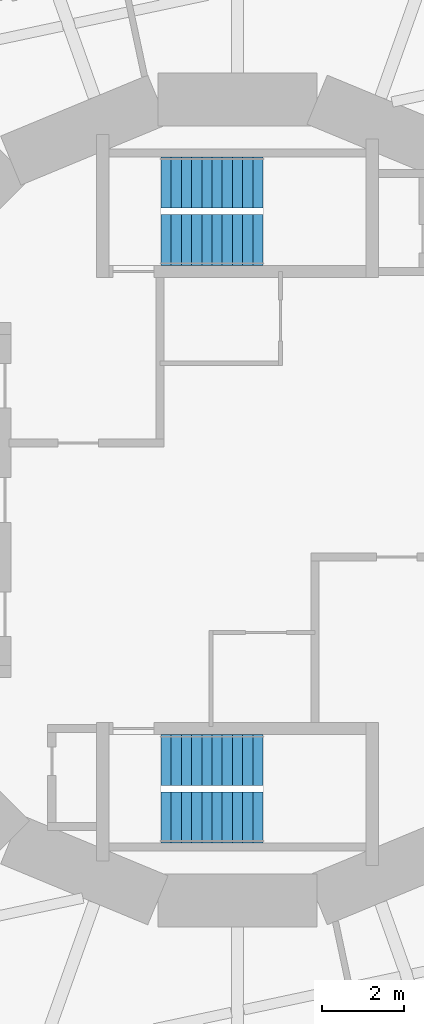
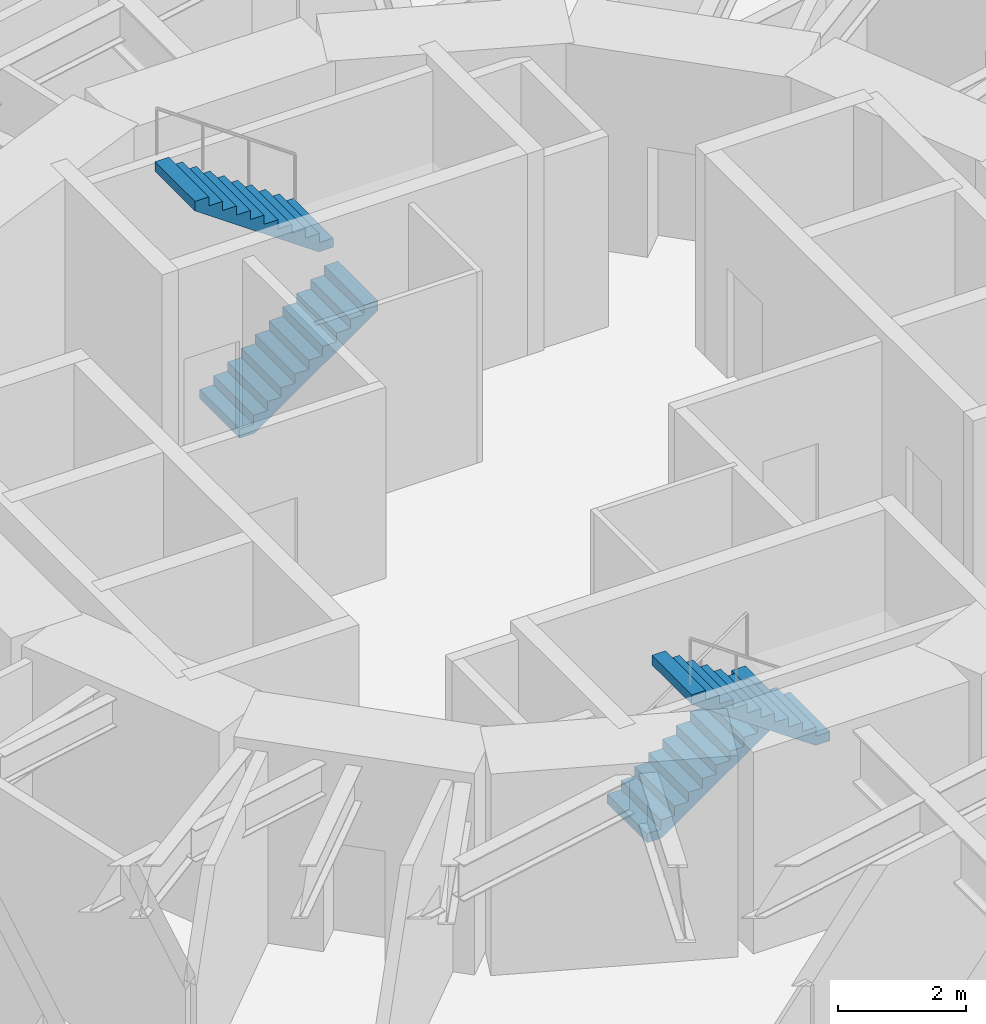
# One storey, part 12 of 14: 4 stair flights, 2 elements without a shape of their own.
"""IFC4 building model written with IfcOpenShell, lengths in metres."""

from ifc_helpers import new_model, si_unit, direction, frame, origin, place, context, subcontext, project, spatial, polyline, outline, extrude, material, type_object, element, aggregate, save


model = new_model("IFC4")

# Units and contexts
model_context = context("Model", 3, precision=1e-05, world=origin(), true_north=direction((0.0, 1.0)))
body_context = subcontext(model_context, "Body", "Model", "MODEL_VIEW")
ifc_project = project(units=[si_unit("LENGTHUNIT", "METRE"), si_unit("AREAUNIT", "SQUARE_METRE"), si_unit("VOLUMEUNIT", "CUBIC_METRE"), si_unit("PLANEANGLEUNIT", "RADIAN"), si_unit("MASSUNIT", "GRAM", prefix="KILO")], contexts=[model_context])

# Site, building, storey
site_placement = place(None, origin())
site = spatial("IfcSite", under=ifc_project, at=site_placement, CompositionType="ELEMENT")
building_placement = place(site_placement, origin())
building = spatial("IfcBuilding", under=site, at=building_placement, Name="Nakasero Lantern House", CompositionType="ELEMENT")
storey_placement = place(building_placement, frame((0.0, 0.0, 124.25)))
storey = spatial("IfcBuildingStorey", under=building, at=storey_placement, Name="L30", CompositionType="ELEMENT", Elevation=124.25)

# Stair, stair flights
ifc_material_1 = material(Name="Concrete C40/50", Category="concrete")
stair_type_1 = type_object("IfcStairType", Name="Escape stair ST1 22 risers", PredefinedType="HALF_TURN_STAIR", material=ifc_material_1)
stair_1_placement = place(storey_placement, origin())
stair_1 = element("IfcStair", 1, at=stair_1_placement, inside=storey, type_object=stair_type_1, Name="Escape stair ST1 L30", PredefinedType="HALF_TURN_STAIR")
ifc_material_2 = material(Name="Concrete C40/50", Category="concrete")
stair_flight_type = type_object("IfcStairFlightType", Name="Escape stair flight", PredefinedType="STRAIGHT", material=ifc_material_2)
stair_flight_1_placement = place(storey_placement, frame((-1.875, 6.375, 0.0), z_axis=(0.0, 0.0, 1.0), x_axis=(1.0, 0.0, 0.0)))
stair_flight_1 = element("IfcStairFlight", 2, at=stair_flight_1_placement, type_object=stair_flight_type, Name="ST1 flight 1", NumberOfRisers=11, NumberOfTreads=10, PredefinedType="STRAIGHT", RiserHeight=0.175, TreadLength=0.25, context=body_context, shape_type="SweptSolid", body=[
    extrude(outline(polyline([(0.0, 0.0), (0.0, 0.175048828125), (0.25, 0.175048828125), (0.25, 0.35009765625), (0.5, 0.35009765625), (0.5, 0.52490234375), (0.75, 0.52490234375), (0.75, 0.699951171875), (1.0, 0.699951171875), (1.0, 0.875), (1.25, 0.875), (1.25, 1.050048828125), (1.5, 1.050048828125), (1.5, 1.22509765625), (1.75, 1.22509765625), (1.75, 1.39990234375), (2.0, 1.39990234375), (2.0, 1.574951171875), (2.25, 1.574951171875), (2.25, 1.75), (2.5, 1.75), (2.5, 1.925048828125), (2.5, 1.567138671875), (0.261474609375, 0.0), (0.0, 0.0)])), frame((0.0, 0.625, 0.0), z_axis=(0.0, -1.0, 0.0), x_axis=(1.0, 0.0, 0.0)), (0.0, 0.0, 1.0), 1.25),
])
stair_flight_2_placement = place(storey_placement, frame((0.625, 7.77490234375, 1.925048828125), z_axis=(0.0, 0.0, 1.0), x_axis=(-1.0, 0.0, 0.0)))
stair_flight_2 = element("IfcStairFlight", 3, at=stair_flight_2_placement, type_object=stair_flight_type, Name="ST1 flight 2", NumberOfRisers=11, NumberOfTreads=10, PredefinedType="STRAIGHT", RiserHeight=0.175, TreadLength=0.25, context=body_context, shape_type="SweptSolid", body=[
    extrude(outline(polyline([(0.0, 0.0), (0.0, 0.175048828125), (0.25, 0.175048828125), (0.25, 0.35009765625), (0.5, 0.35009765625), (0.5, 0.52490234375), (0.75, 0.52490234375), (0.75, 0.699951171875), (1.0, 0.699951171875), (1.0, 0.875), (1.25, 0.875), (1.25, 1.050048828125), (1.5, 1.050048828125), (1.5, 1.22509765625), (1.75, 1.22509765625), (1.75, 1.39990234375), (2.0, 1.39990234375), (2.0, 1.574951171875), (2.25, 1.574951171875), (2.25, 1.75), (2.5, 1.75), (2.5, 1.925048828125), (2.5, 1.567138671875), (0.261474609375, 0.0), (0.0, 0.0)])), frame((0.0, 0.625, 0.0), z_axis=(0.0, -1.0, 0.0), x_axis=(1.0, 0.0, 0.0)), (0.0, 0.0, 1.0), 1.25),
])
aggregate(stair_1, [stair_flight_1, stair_flight_2])

ifc_material_3 = material(Name="Concrete C40/50", Category="concrete")
stair_type_2 = type_object("IfcStairType", Name="Escape stair ST2 22 risers", PredefinedType="HALF_TURN_STAIR", material=ifc_material_3)
stair_2_placement = place(storey_placement, origin())
stair_2 = element("IfcStair", 4, at=stair_2_placement, inside=storey, type_object=stair_type_2, Name="Escape stair ST2 L30", PredefinedType="HALF_TURN_STAIR")
stair_flight_3_placement = place(storey_placement, frame((-1.875, -6.375, 0.0), z_axis=(0.0, 0.0, 1.0), x_axis=(1.0, 0.0, 0.0)))
stair_flight_3 = element("IfcStairFlight", 5, at=stair_flight_3_placement, type_object=stair_flight_type, Name="ST2 flight 1", NumberOfRisers=11, NumberOfTreads=10, PredefinedType="STRAIGHT", RiserHeight=0.175, TreadLength=0.25, context=body_context, shape_type="SweptSolid", body=[
    extrude(outline(polyline([(0.0, 0.0), (0.0, 0.175048828125), (0.25, 0.175048828125), (0.25, 0.35009765625), (0.5, 0.35009765625), (0.5, 0.52490234375), (0.75, 0.52490234375), (0.75, 0.699951171875), (1.0, 0.699951171875), (1.0, 0.875), (1.25, 0.875), (1.25, 1.050048828125), (1.5, 1.050048828125), (1.5, 1.22509765625), (1.75, 1.22509765625), (1.75, 1.39990234375), (2.0, 1.39990234375), (2.0, 1.574951171875), (2.25, 1.574951171875), (2.25, 1.75), (2.5, 1.75), (2.5, 1.925048828125), (2.5, 1.567138671875), (0.261474609375, 0.0), (0.0, 0.0)])), frame((0.0, 0.625, 0.0), z_axis=(0.0, -1.0, 0.0), x_axis=(1.0, 0.0, 0.0)), (0.0, 0.0, 1.0), 1.25),
])
stair_flight_4_placement = place(storey_placement, frame((0.625, -7.77490234375, 1.925048828125), z_axis=(0.0, 0.0, 1.0), x_axis=(-1.0, 0.0, 0.0)))
stair_flight_4 = element("IfcStairFlight", 6, at=stair_flight_4_placement, type_object=stair_flight_type, Name="ST2 flight 2", NumberOfRisers=11, NumberOfTreads=10, PredefinedType="STRAIGHT", RiserHeight=0.175, TreadLength=0.25, context=body_context, shape_type="SweptSolid", body=[
    extrude(outline(polyline([(0.0, 0.0), (0.0, 0.175048828125), (0.25, 0.175048828125), (0.25, 0.35009765625), (0.5, 0.35009765625), (0.5, 0.52490234375), (0.75, 0.52490234375), (0.75, 0.699951171875), (1.0, 0.699951171875), (1.0, 0.875), (1.25, 0.875), (1.25, 1.050048828125), (1.5, 1.050048828125), (1.5, 1.22509765625), (1.75, 1.22509765625), (1.75, 1.39990234375), (2.0, 1.39990234375), (2.0, 1.574951171875), (2.25, 1.574951171875), (2.25, 1.75), (2.5, 1.75), (2.5, 1.925048828125), (2.5, 1.567138671875), (0.261474609375, 0.0), (0.0, 0.0)])), frame((0.0, 0.625, 0.0), z_axis=(0.0, -1.0, 0.0), x_axis=(1.0, 0.0, 0.0)), (0.0, 0.0, 1.0), 1.25),
])
aggregate(stair_2, [stair_flight_3, stair_flight_4])

save(model, "model.ifc")
